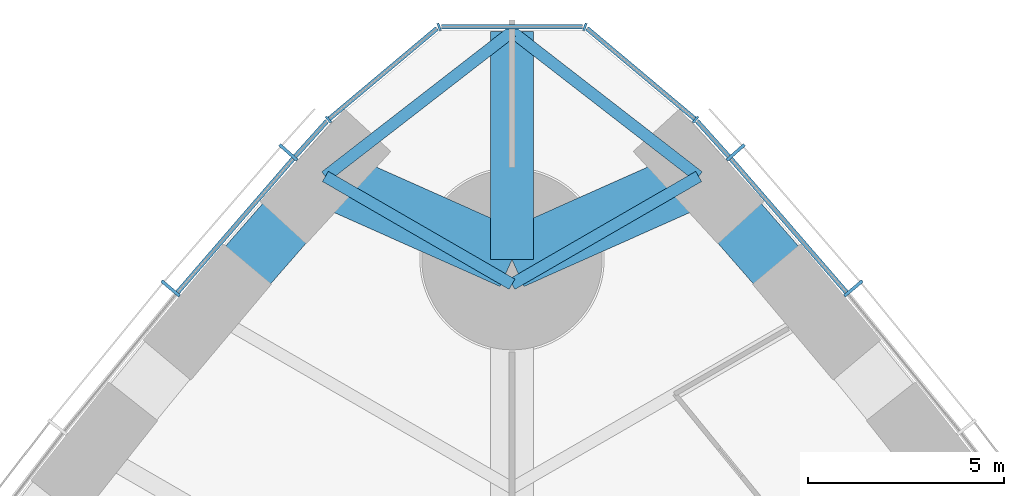
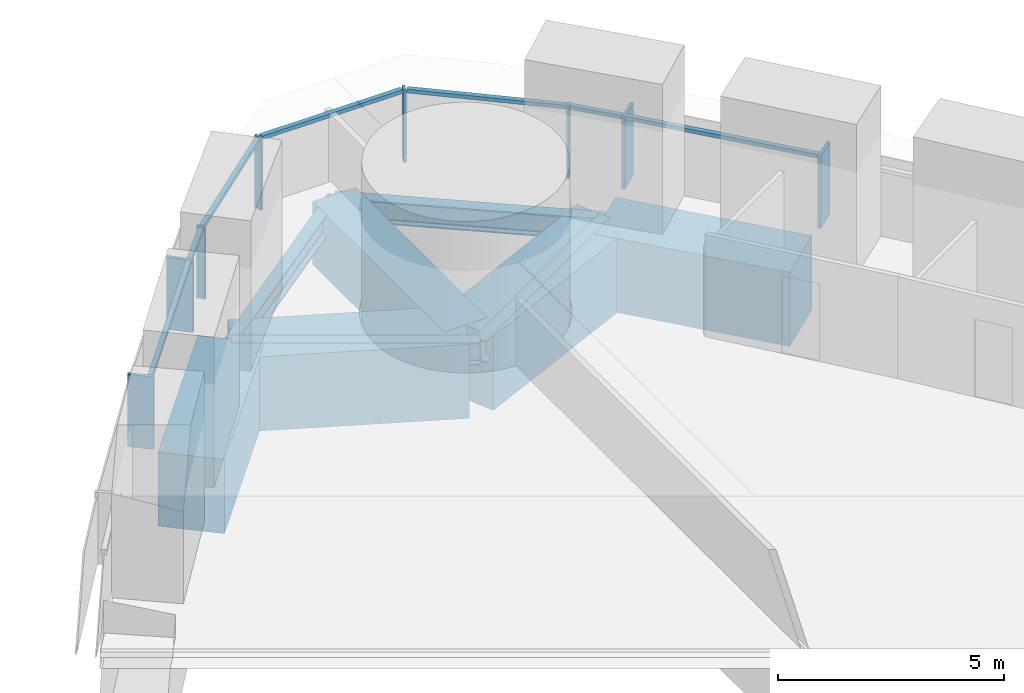
# One storey, part 7 of 18: 15 members, 9 beams, 3 elements without a shape of their own.
"""IFC4 building model written with IfcOpenShell, lengths in metres."""

from ifc_helpers import new_model, si_unit, direction, frame, origin, origin_2d, place, context, subcontext, project, spatial, rectangle, i_section, extrude, material, material_profile, profile_set, type_object, element, aggregate, save


model = new_model("IFC4")

# Units and contexts
model_context = context("Model", 3, precision=1e-05, world=origin(), true_north=direction((0.0, 1.0)))
body_context = subcontext(model_context, "Body", "Model", "MODEL_VIEW")
ifc_project = project(units=[si_unit("LENGTHUNIT", "METRE"), si_unit("AREAUNIT", "SQUARE_METRE"), si_unit("VOLUMEUNIT", "CUBIC_METRE"), si_unit("PLANEANGLEUNIT", "RADIAN"), si_unit("MASSUNIT", "GRAM", prefix="KILO")], contexts=[model_context])

# Site, building, storey
site_placement = place(None, origin())
site = spatial("IfcSite", under=ifc_project, at=site_placement, CompositionType="ELEMENT")
building_placement = place(site_placement, origin())
building = spatial("IfcBuilding", under=site, at=building_placement, Name="Trefoil Bronze Tower", CompositionType="ELEMENT")
storey_placement = place(building_placement, frame((0.0, 0.0, 87.89990234375)))
storey = spatial("IfcBuildingStorey", under=building, at=storey_placement, Name="L20", CompositionType="ELEMENT", Elevation=87.89990234375)

# Curtain wall, members
ifc_material_1 = material(Name="Tinted solar-control glass", Category="glass")
curtain_wall_type_1 = type_object("IfcCurtainWallType", Name="Bronze office curtain wall", PredefinedType="USERDEFINED", material=ifc_material_1)
curtain_wall_1_placement = place(storey_placement, origin())
curtain_wall_1 = element("IfcCurtainWall", 1, at=curtain_wall_1_placement, inside=storey, type_object=curtain_wall_type_1, Name="CW-A L20 F2", ObjectType="CURTAIN WALL", PredefinedType="USERDEFINED")
ifc_material_2 = material(Name="Bronze-finish aluminium", Category="aluminium")
ifc_material_profile_1 = material_profile(ifc_material_2, rectangle(XDim=0.60009765625, YDim=0.080078125, at=origin_2d()), Name="CW-A mullion")
ifc_profile_set_1 = profile_set([ifc_material_profile_1], Name="Bronze-finish aluminium")
member_type_1 = type_object("IfcMemberType", Name="Bronze office curtain wall mullion", PredefinedType="MULLION", material=ifc_profile_set_1)
member_1_placement = place(storey_placement, frame((8.709716796875, 36.265869140625, 0.0), z_axis=(0.0, 0.0, 1.0), x_axis=(-0.765729101889, -0.643163231629, 0.0)))
member_1 = element("IfcMember", 2, at=member_1_placement, type_object=member_type_1, Name="CW-A L20 F2 mullion 15", PredefinedType="MULLION", context=body_context, shape_type="SweptSolid", body=[
    extrude(rectangle(XDim=0.60009765625, YDim=0.080078125, at=origin_2d()), origin(), (0.0, 0.0, 1.0), 1.9501953125),
])
member_2_placement = place(storey_placement, frame((5.70654296875, 39.736328125, 0.0), z_axis=(0.0, 0.0, 1.0), x_axis=(-0.7499405861, -0.661505190698, 0.0)))
member_2 = element("IfcMember", 3, at=member_2_placement, type_object=member_type_1, Name="CW-A L20 F2 mullion 16", PredefinedType="MULLION", context=body_context, shape_type="SweptSolid", body=[
    extrude(rectangle(XDim=0.60009765625, YDim=0.080078125, at=origin_2d()), origin(), (0.0, 0.0, 1.0), 1.9501953125),
])

curtain_wall_2_placement = place(storey_placement, origin())
curtain_wall_2 = element("IfcCurtainWall", 4, at=curtain_wall_2_placement, inside=storey, type_object=curtain_wall_type_1, Name="CW-A L20 F3", ObjectType="CURTAIN WALL", PredefinedType="USERDEFINED")
member_3_placement = place(storey_placement, frame((-5.70654296875, 39.736328125, 0.0), z_axis=(0.0, 0.0, 1.0), x_axis=(0.7499405861, -0.661505190698, 0.0)))
member_3 = element("IfcMember", 5, at=member_3_placement, type_object=member_type_1, Name="CW-A L20 F3 mullion 2", PredefinedType="MULLION", context=body_context, shape_type="SweptSolid", body=[
    extrude(rectangle(XDim=0.60009765625, YDim=0.080078125, at=origin_2d()), origin(), (0.0, 0.0, 1.0), 1.9501953125),
])
member_4_placement = place(storey_placement, frame((-8.709716796875, 36.265869140625, 0.0), z_axis=(0.0, 0.0, 1.0), x_axis=(0.765729101889, -0.643163231629, 0.0)))
member_4 = element("IfcMember", 6, at=member_4_placement, type_object=member_type_1, Name="CW-A L20 F3 mullion 3", PredefinedType="MULLION", context=body_context, shape_type="SweptSolid", body=[
    extrude(rectangle(XDim=0.60009765625, YDim=0.080078125, at=origin_2d()), origin(), (0.0, 0.0, 1.0), 1.9501953125),
])

# Member
ifc_material_3 = material(Name="Bronze-finish aluminium", Category="aluminium")
ifc_material_profile_2 = material_profile(ifc_material_3, rectangle(XDim=0.1201171875, YDim=0.10009765625, at=origin_2d()), Name="CW-A transom")
ifc_profile_set_2 = profile_set([ifc_material_profile_2], Name="Bronze-finish aluminium")
member_type_2 = type_object("IfcMemberType", Name="Bronze office curtain wall transom", PredefinedType="USERDEFINED", material=ifc_profile_set_2)
member_5_placement = place(storey_placement, frame((8.529541015625, 36.16845703125, 1.900146484375), z_axis=(-0.654383303203, 0.75616300656, 0.0), x_axis=(-0.75616300656, -0.654383303203, 0.0)))
member_5 = element("IfcMember", 7, at=member_5_placement, type_object=member_type_2, Name="CW-A L20 F2 transom 15", ObjectType="TRANSOM", PredefinedType="USERDEFINED", context=body_context, shape_type="SweptSolid", body=[
    extrude(rectangle(XDim=0.1201171875, YDim=0.10009765625, at=origin_2d()), origin(), (0.0, 0.0, 1.0), 4.50244140625),
])

member_6_placement = place(storey_placement, frame((5.529052734375, 39.634521484375, 1.900146484375), z_axis=(-0.66858567461, 0.743635122695, 0.0), x_axis=(-0.743635122695, -0.66858567461, 0.0)))
member_6 = element("IfcMember", 8, at=member_6_placement, type_object=member_type_2, Name="CW-A L20 F2 transom 16", ObjectType="TRANSOM", PredefinedType="USERDEFINED", context=body_context, shape_type="SweptSolid", body=[
    extrude(rectangle(XDim=0.1201171875, YDim=0.10009765625, at=origin_2d()), origin(), (0.0, 0.0, 1.0), 1.210205078125),
])

aggregate(curtain_wall_1, [member_1, member_2, member_5, member_6])

member_7_placement = place(storey_placement, frame((-4.719970703125, 40.534423828125, 1.900146484375), z_axis=(-0.66858567461, -0.743635122695, 0.0), x_axis=(0.743635122695, -0.66858567461, 0.0)))
member_7 = element("IfcMember", 9, at=member_7_placement, type_object=member_type_2, Name="CW-A L20 F3 transom 1", ObjectType="TRANSOM", PredefinedType="USERDEFINED", context=body_context, shape_type="SweptSolid", body=[
    extrude(rectangle(XDim=0.1201171875, YDim=0.10009765625, at=origin_2d()), origin(), (0.0, 0.0, 1.0), 1.210205078125),
])

member_8_placement = place(storey_placement, frame((-5.583251953125, 39.572998046875, 1.900146484375), z_axis=(-0.654383303203, -0.75616300656, 0.0), x_axis=(0.75616300656, -0.654383303203, 0.0)))
member_8 = element("IfcMember", 10, at=member_8_placement, type_object=member_type_2, Name="CW-A L20 F3 transom 2", ObjectType="TRANSOM", PredefinedType="USERDEFINED", context=body_context, shape_type="SweptSolid", body=[
    extrude(rectangle(XDim=0.1201171875, YDim=0.10009765625, at=origin_2d()), origin(), (0.0, 0.0, 1.0), 4.50244140625),
])

aggregate(curtain_wall_2, [member_3, member_4, member_7, member_8])

# Curtain wall, members
ifc_material_4 = material(Name="Tinted solar-control glass", Category="glass")
curtain_wall_type_2 = type_object("IfcCurtainWallType", Name="Bronze rounded corner curtain wall", PredefinedType="USERDEFINED", material=ifc_material_4)
curtain_wall_3_placement = place(storey_placement, origin())
curtain_wall_3 = element("IfcCurtainWall", 11, at=curtain_wall_3_placement, inside=storey, type_object=curtain_wall_type_2, Name="CW-B L20 K2", ObjectType="CURTAIN WALL", PredefinedType="USERDEFINED")
ifc_material_5 = material(Name="Bronze-finish aluminium", Category="aluminium")
ifc_material_profile_3 = material_profile(ifc_material_5, rectangle(XDim=0.199951171875, YDim=0.06005859375, at=origin_2d()), Name="CW-B mullion")
ifc_profile_set_3 = profile_set([ifc_material_profile_3], Name="Bronze-finish aluminium")
member_type_3 = type_object("IfcMemberType", Name="Bronze rounded corner curtain wall mullion", PredefinedType="MULLION", material=ifc_profile_set_3)
member_9_placement = place(storey_placement, frame((4.68310546875, 40.573974609375, 0.0), z_axis=(0.0, 0.0, 1.0), x_axis=(-0.642787609687, -0.766044443119, 0.0)))
member_9 = element("IfcMember", 12, at=member_9_placement, type_object=member_type_3, Name="CW-B L20 K2 mullion 1", PredefinedType="MULLION", context=body_context, shape_type="SweptSolid", body=[
    extrude(rectangle(XDim=0.199951171875, YDim=0.06005859375, at=origin_2d()), origin(), (0.0, 0.0, 1.0), 1.9501953125),
])
member_10_placement = place(storey_placement, frame((1.8583984375, 42.9365234375, 0.0), z_axis=(0.0, 0.0, 1.0), x_axis=(-0.342020143326, -0.939692620786, 0.0)))
member_10 = element("IfcMember", 13, at=member_10_placement, type_object=member_type_3, Name="CW-B L20 K2 mullion 2", PredefinedType="MULLION", context=body_context, shape_type="SweptSolid", body=[
    extrude(rectangle(XDim=0.199951171875, YDim=0.06005859375, at=origin_2d()), origin(), (0.0, 0.0, 1.0), 1.9501953125),
])
member_11_placement = place(storey_placement, frame((-1.8583984375, 42.9365234375, 0.0), z_axis=(0.0, 0.0, 1.0), x_axis=(0.342020143326, -0.939692620786, 0.0)))
member_11 = element("IfcMember", 14, at=member_11_placement, type_object=member_type_3, Name="CW-B L20 K2 mullion 3", PredefinedType="MULLION", context=body_context, shape_type="SweptSolid", body=[
    extrude(rectangle(XDim=0.199951171875, YDim=0.06005859375, at=origin_2d()), origin(), (0.0, 0.0, 1.0), 1.9501953125),
])
member_12_placement = place(storey_placement, frame((-4.68310546875, 40.573974609375, 0.0), z_axis=(0.0, 0.0, 1.0), x_axis=(0.642787609687, -0.766044443119, 0.0)))
member_12 = element("IfcMember", 15, at=member_12_placement, type_object=member_type_3, Name="CW-B L20 K2 mullion 4", PredefinedType="MULLION", context=body_context, shape_type="SweptSolid", body=[
    extrude(rectangle(XDim=0.199951171875, YDim=0.06005859375, at=origin_2d()), origin(), (0.0, 0.0, 1.0), 1.9501953125),
])
ifc_material_6 = material(Name="Bronze-finish aluminium", Category="aluminium")
ifc_material_profile_4 = material_profile(ifc_material_6, rectangle(XDim=0.1201171875, YDim=0.10009765625, at=origin_2d()), Name="CW-B transom")
ifc_profile_set_4 = profile_set([ifc_material_profile_4], Name="Bronze-finish aluminium")
member_type_4 = type_object("IfcMemberType", Name="Bronze rounded corner curtain wall transom", PredefinedType="USERDEFINED", material=ifc_profile_set_4)
member_13_placement = place(storey_placement, frame((4.66015625, 40.59326171875, 1.900146484375), z_axis=(-0.766058606238, 0.642770730361, 0.0), x_axis=(-0.642770730361, -0.766058606238, 0.0)))
member_13 = element("IfcMember", 16, at=member_13_placement, type_object=member_type_4, Name="CW-B L20 K2 transom 1", ObjectType="TRANSOM", PredefinedType="USERDEFINED", context=body_context, shape_type="SweptSolid", body=[
    extrude(rectangle(XDim=0.1201171875, YDim=0.10009765625, at=origin_2d()), origin(), (0.0, 0.0, 1.0), 3.588134765625),
])
member_14_placement = place(storey_placement, frame((1.794189453125, 42.9423828125, 1.900146484375), z_axis=(-1.0, 0.0, 0.0), x_axis=(0.0, -1.0, 0.0)))
member_14 = element("IfcMember", 17, at=member_14_placement, type_object=member_type_4, Name="CW-B L20 K2 transom 2", ObjectType="TRANSOM", PredefinedType="USERDEFINED", context=body_context, shape_type="SweptSolid", body=[
    extrude(rectangle(XDim=0.1201171875, YDim=0.10009765625, at=origin_2d()), origin(), (0.0, 0.0, 1.0), 3.58837890625),
])
member_15_placement = place(storey_placement, frame((-1.911376953125, 42.899658203125, 1.900146484375), z_axis=(-0.766058606238, -0.642770730361, 0.0), x_axis=(0.642770730361, -0.766058606238, 0.0)))
member_15 = element("IfcMember", 18, at=member_15_placement, type_object=member_type_4, Name="CW-B L20 K2 transom 3", ObjectType="TRANSOM", PredefinedType="USERDEFINED", context=body_context, shape_type="SweptSolid", body=[
    extrude(rectangle(XDim=0.1201171875, YDim=0.10009765625, at=origin_2d()), origin(), (0.0, 0.0, 1.0), 3.588134765625),
])
aggregate(curtain_wall_3, [member_9, member_10, member_11, member_12, member_13, member_14, member_15])

# Beams
ifc_material_7 = material(Name="Concrete B80", Category="concrete")
ifc_material_profile_5 = material_profile(ifc_material_7, rectangle(XDim=1.10009765625, YDim=1.699951171875, at=origin_2d()), Name="RC 1100x1700")
ifc_profile_set_5 = profile_set([ifc_material_profile_5], Name="Concrete B80")
beam_type_1 = type_object("IfcBeamType", Name="Corner cantilever RC 1100x1700", PredefinedType="BEAM", material=ifc_profile_set_5)
beam_placement = place(storey_placement, frame((0.0, 37.0, -1.0498046875), z_axis=(0.0, 1.0, 0.0), x_axis=(-1.0, 0.0, 0.0)))
element("IfcBeam", 19, at=beam_placement, inside=storey, type_object=beam_type_1, Name="Corner cantilever K2 L20", PredefinedType="BEAM", context=body_context, shape_type="SweptSolid", body=[
    extrude(rectangle(XDim=1.10009765625, YDim=1.699951171875, at=origin_2d()), origin(), (0.0, 0.0, 1.0), 5.814208984375),
])
ifc_material_8 = material(Name="Steel C355", Category="steel")
ifc_material_profile_6 = material_profile(ifc_material_8, i_section(OverallWidth=0.300048828125, OverallDepth=0.60009765625, WebThickness=0.015380859375, FlangeThickness=0.030029296875, FilletRadius=0.027099609375, at=origin_2d()), Name="HEB 600")
ifc_profile_set_6 = profile_set([ifc_material_profile_6], Name="Steel C355")
beam_type_2 = type_object("IfcBeamType", Name="Corner edge beam HEB 600", PredefinedType="BEAM", material=ifc_profile_set_6)
for number, where, z_axis, x_axis, name in (
    (20, (4.76171875, 39.122314453125, -0.5), (-0.790289474622, 0.612733666696, 0.0), (-0.612733666696, -0.790289474622, 0.0), "Corner edge beam F2A L20"),
    (21, (-4.76171875, 39.122314453125, -0.5), (0.790289474622, 0.612733666696, 0.0), (-0.612733666696, 0.790289474622, 0.0), "Corner edge beam F3B L20"),
):
    element("IfcBeam", number, at=place(storey_placement, frame(where, z_axis=z_axis, x_axis=x_axis)), inside=storey, type_object=beam_type_2, Name=name, PredefinedType="BEAM", context=body_context, shape_type="SweptSolid", body=[
        extrude(i_section(OverallWidth=0.300048828125, OverallDepth=0.60009765625, WebThickness=0.015380859375, FlangeThickness=0.030029296875, FilletRadius=0.027099609375, at=origin_2d()), origin(), (0.0, 0.0, 1.0), 6.025390625),
    ])
ifc_material_9 = material(Name="Concrete B80", Category="concrete")
ifc_material_profile_7 = material_profile(ifc_material_9, rectangle(XDim=1.5, YDim=2.0, at=origin_2d()), Name="RC 1500x2000")
ifc_profile_set_7 = profile_set([ifc_material_profile_7], Name="Concrete B80")
beam_type_3 = type_object("IfcBeamType", Name="End spandrel beam RC 1500x2000", PredefinedType="SPANDREL", material=ifc_profile_set_7)
for number, where, z_axis, x_axis, name in (
    (22, (4.76171875, 39.122314453125, -1.199951171875), (-0.913384257879, -0.407098510754, 0.0), (0.407098510754, -0.913384257879, 0.0), "Spandrel F2.16 L20"),
    (23, (0.0, 37.0, -1.199951171875), (-0.913384257879, 0.407098510754, 0.0), (-0.407098510754, -0.913384257879, 0.0), "Spandrel F3.1 L20"),
):
    element("IfcBeam", number, at=place(storey_placement, frame(where, z_axis=z_axis, x_axis=x_axis)), inside=storey, type_object=beam_type_3, Name=name, PredefinedType="SPANDREL", context=body_context, shape_type="SweptSolid", body=[
        extrude(rectangle(XDim=1.5, YDim=2.0, at=origin_2d()), origin(), (0.0, 0.0, 1.0), 5.21337890625),
    ])
ifc_material_10 = material(Name="Steel C355", Category="steel")
ifc_material_profile_8 = material_profile(ifc_material_10, i_section(OverallWidth=0.300048828125, OverallDepth=0.60009765625, WebThickness=0.015380859375, FlangeThickness=0.030029296875, FilletRadius=0.027099609375, at=origin_2d()), Name="HEB 600")
ifc_profile_set_8 = profile_set([ifc_material_profile_8], Name="Steel C355")
beam_type_4 = type_object("IfcBeamType", Name="Floor beam HEB 600", PredefinedType="BEAM", material=ifc_profile_set_8)
for number, where, z_axis, x_axis, name in (
    (24, (4.76171875, 39.122314453125, -0.5), (-0.866018475376, -0.500012000164, 0.0), (0.500012000164, -0.866018475376, 0.0), "Floor beam F2/+7 L20"),
    (25, (-4.76171875, 39.122314453125, -0.5), (0.866018475376, -0.500012000164, 0.0), (0.500012000164, 0.866018475376, 0.0), "Floor beam F3/-7 L20"),
):
    element("IfcBeam", number, at=place(storey_placement, frame(where, z_axis=z_axis, x_axis=x_axis)), inside=storey, type_object=beam_type_4, Name=name, PredefinedType="BEAM", context=body_context, shape_type="SweptSolid", body=[
        extrude(i_section(OverallWidth=0.300048828125, OverallDepth=0.60009765625, WebThickness=0.015380859375, FlangeThickness=0.030029296875, FilletRadius=0.027099609375, at=origin_2d()), origin(), (0.0, 0.0, 1.0), 5.498291015625),
    ])
ifc_material_11 = material(Name="Concrete B80", Category="concrete")
ifc_material_profile_9 = material_profile(ifc_material_11, rectangle(XDim=1.5, YDim=2.0, at=origin_2d()), Name="RC 1500x2000")
ifc_profile_set_9 = profile_set([ifc_material_profile_9], Name="Concrete B80")
beam_type_5 = type_object("IfcBeamType", Name="Spandrel beam RC 1500x2000", PredefinedType="SPANDREL", material=ifc_profile_set_9)
for number, where, z_axis, x_axis, name in (
    (26, (7.7763671875, 35.666748046875, -1.199951171875), (-0.657395767989, 0.753545489158, 0.0), (-0.753545489158, -0.657395767989, 0.0), "Spandrel F2.15 L20"),
    (27, (-4.76171875, 39.122314453125, -1.199951171875), (-0.657395767989, -0.753545489158, 0.0), (0.753545489158, -0.657395767989, 0.0), "Spandrel F3.2 L20"),
):
    element("IfcBeam", number, at=place(storey_placement, frame(where, z_axis=z_axis, x_axis=x_axis)), inside=storey, type_object=beam_type_5, Name=name, PredefinedType="SPANDREL", context=body_context, shape_type="SweptSolid", body=[
        extrude(rectangle(XDim=1.5, YDim=2.0, at=origin_2d()), origin(), (0.0, 0.0, 1.0), 4.585693359375),
    ])

save(model, "model.ifc")
